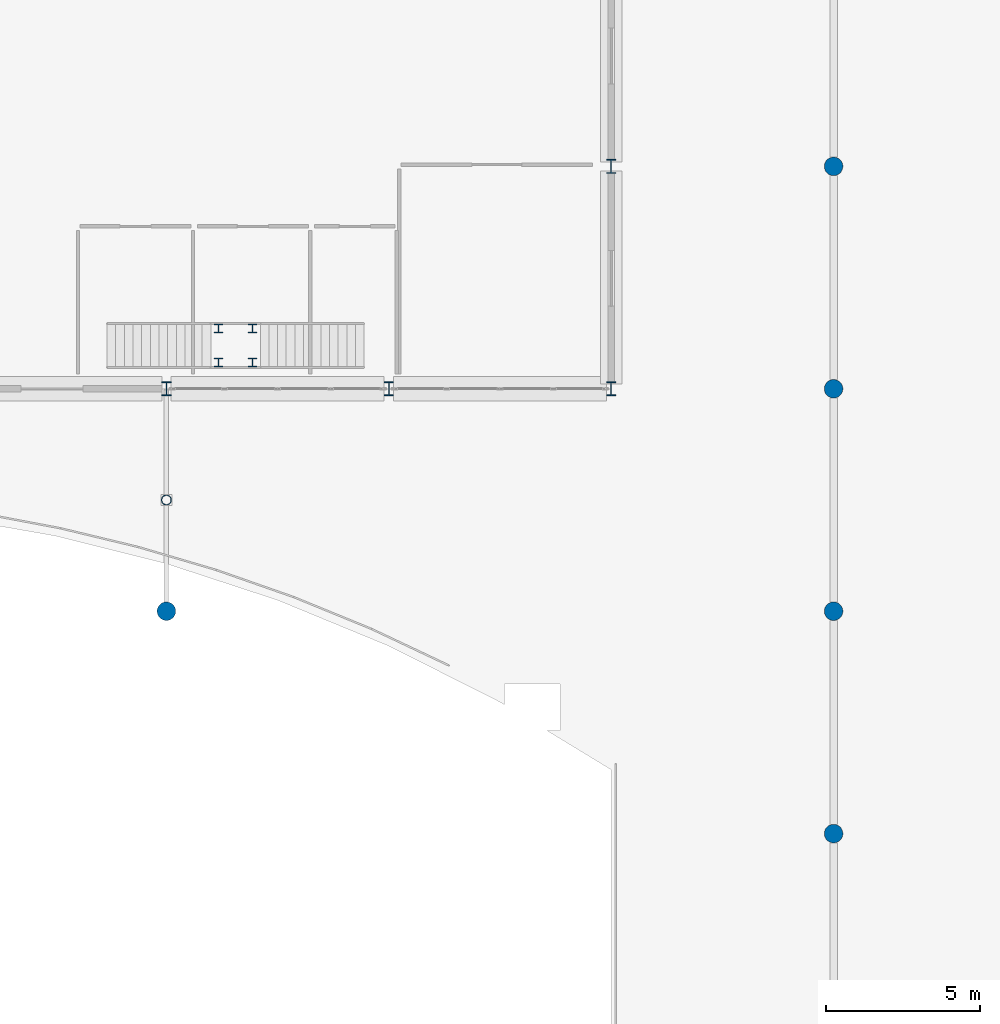
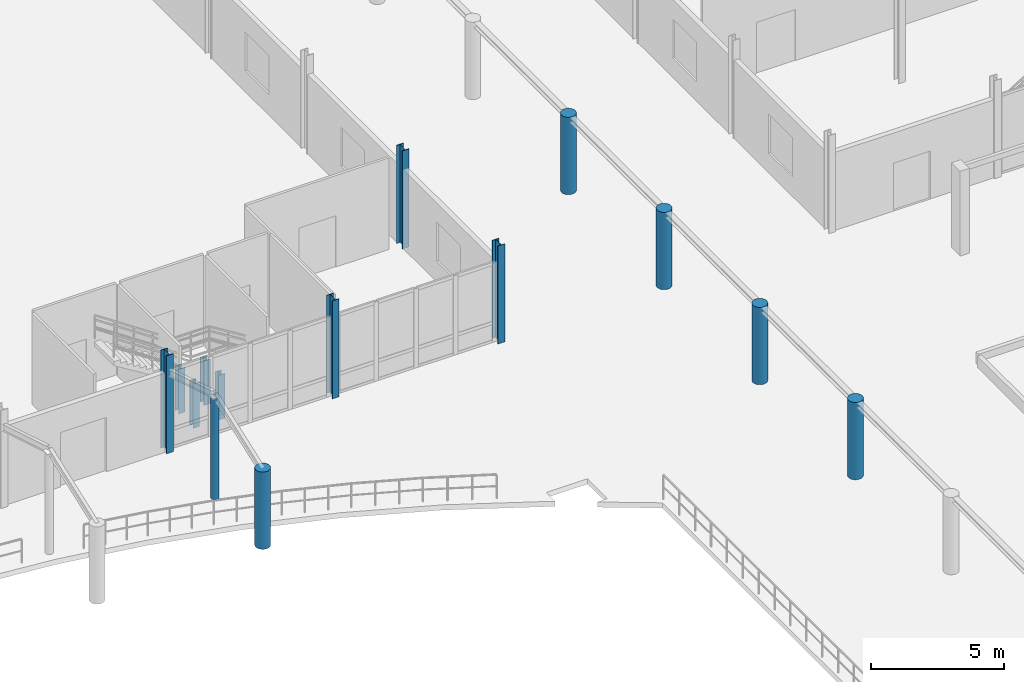
# One storey, part 7 of 139: 14 columns.
"""IFC4 building model written with IfcOpenShell, lengths in metres."""

from ifc_helpers import new_model, si_unit, direction, frame, origin, origin_2d, place, context, subcontext, project, spatial, circle, hollow_circle, i_section, extrude, material, material_profile, profile_set, type_object, element, save


model = new_model("IFC4")

# Units and contexts
model_context = context("Model", 3, precision=1e-05, world=origin(), true_north=direction((0.0, 1.0)))
body_context = subcontext(model_context, "Body", "Model", "MODEL_VIEW")
ifc_project = project(units=[si_unit("LENGTHUNIT", "METRE"), si_unit("AREAUNIT", "SQUARE_METRE"), si_unit("VOLUMEUNIT", "CUBIC_METRE"), si_unit("PLANEANGLEUNIT", "RADIAN"), si_unit("MASSUNIT", "GRAM", prefix="KILO")], contexts=[model_context])

# Site, building, storey
site_placement = place(None, origin())
site = spatial("IfcSite", under=ifc_project, at=site_placement, CompositionType="ELEMENT")
building_placement = place(site_placement, origin())
building = spatial("IfcBuilding", under=site, at=building_placement, Name="Suanplinth Sawtooth Commons", CompositionType="ELEMENT")
storey_placement = place(building_placement, origin())
storey = spatial("IfcBuildingStorey", under=building, at=storey_placement, Name="L00", CompositionType="ELEMENT", Elevation=0.0)

# Columns
ifc_material_1 = material(Name="Concrete C40/50", Category="concrete")
ifc_material_profile_1 = material_profile(ifc_material_1, circle(Radius=0.300048828125, at=origin_2d()), Name="RC-CIRC D600")
ifc_profile_set_1 = profile_set([ifc_material_profile_1], Name="Concrete C40/50")
column_type_1 = type_object("IfcColumnType", Name="C-08", PredefinedType="COLUMN", material=ifc_profile_set_1)
for number, where, z_axis, x_axis, name in (
    (1, (100.800048828125, 43.199951171875, 0.0), (0.0, 0.0, 1.0), (1.0, 0.0, 0.0), "Column L00 15/G"),
    (2, (122.39990234375, 36.0, 0.0), (0.0, 0.0, 1.0), (1.0, 0.0, 0.0), "Column L00 18/F"),
    (3, (122.39990234375, 43.199951171875, 0.0), (0.0, 0.0, 1.0), (1.0, 0.0, 0.0), "Column L00 18/G"),
    (4, (122.39990234375, 50.39990234375, 0.0), (0.0, 0.0, 1.0), (1.0, 0.0, 0.0), "Column L00 18/H"),
    (5, (122.39990234375, 57.60009765625, 0.0), (0.0, 0.0, 1.0), (1.0, 0.0, 0.0), "Column L00 18/J"),
):
    element("IfcColumn", number, at=place(storey_placement, frame(where, z_axis=z_axis, x_axis=x_axis)), inside=storey, type_object=column_type_1, Name=name, PredefinedType="COLUMN", context=body_context, shape_type="SweptSolid", body=[
        extrude(circle(Radius=0.300048828125, at=origin_2d()), origin(), (0.0, 0.0, 1.0), 3.550048828125),
    ])
ifc_material_2 = material(Name="Steel S355JR", Category="steel")
ifc_material_profile_2 = material_profile(ifc_material_2, i_section(OverallWidth=0.300048828125, OverallDepth=0.449951171875, WebThickness=0.013916015625, FlangeThickness=0.02587890625, at=origin_2d()), Name="HEB 450")
ifc_profile_set_2 = profile_set([ifc_material_profile_2], Name="Steel S355JR")
column_type_2 = type_object("IfcColumnType", Name="C-09", PredefinedType="COLUMN", material=ifc_profile_set_2)
for number, where, z_axis, x_axis, name in (
    (6, (100.800048828125, 50.39990234375, 0.0), (0.0, 0.0, 1.0), (1.0, 0.0, 0.0), "Column L00 15/H"),
    (7, (108.0, 50.39990234375, 0.0), (0.0, 0.0, 1.0), (1.0, 0.0, 0.0), "Column L00 16/H"),
    (8, (115.199951171875, 50.39990234375, 0.0), (0.0, 0.0, 1.0), (1.0, 0.0, 0.0), "Column L00 17/H"),
    (9, (115.199951171875, 57.60009765625, 0.0), (0.0, 0.0, 1.0), (1.0, 0.0, 0.0), "Column L00 17/J"),
):
    element("IfcColumn", number, at=place(storey_placement, frame(where, z_axis=z_axis, x_axis=x_axis)), inside=storey, type_object=column_type_2, Name=name, PredefinedType="COLUMN", context=body_context, shape_type="SweptSolid", body=[
        extrude(i_section(OverallWidth=0.300048828125, OverallDepth=0.449951171875, WebThickness=0.013916015625, FlangeThickness=0.02587890625, at=origin_2d()), origin(), (0.0, 0.0, 1.0), 4.5),
    ])
ifc_material_profile_3 = material_profile(ifc_material_2, i_section(OverallWidth=0.280029296875, OverallDepth=0.280029296875, WebThickness=0.010498046875, FlangeThickness=0.01806640625, at=origin_2d()), Name="HEB 280")
ifc_profile_set_3 = profile_set([ifc_material_profile_3], Name="Steel S355JR")
column_type_3 = type_object("IfcColumnType", Name="C-11", PredefinedType="COLUMN", material=ifc_profile_set_3)
for number, where, z_axis, x_axis, name in (
    (10, (102.489990234375, 51.25, 0.0), (0.0, 0.0, 1.0), (1.0, 0.0, 0.0), "Community Hall East Gallery Stair Landing Post 1"),
    (11, (103.590087890625, 51.25, 0.0), (0.0, 0.0, 1.0), (1.0, 0.0, 0.0), "Community Hall East Gallery Stair Landing Post 2"),
    (12, (102.489990234375, 52.35009765625, 0.0), (0.0, 0.0, 1.0), (1.0, 0.0, 0.0), "Community Hall East Gallery Stair Landing Post 3"),
    (13, (103.590087890625, 52.35009765625, 0.0), (0.0, 0.0, 1.0), (1.0, 0.0, 0.0), "Community Hall East Gallery Stair Landing Post 4"),
):
    element("IfcColumn", number, at=place(storey_placement, frame(where, z_axis=z_axis, x_axis=x_axis)), inside=storey, type_object=column_type_3, Name=name, PredefinedType="COLUMN", context=body_context, shape_type="SweptSolid", body=[
        extrude(i_section(OverallWidth=0.280029296875, OverallDepth=0.280029296875, WebThickness=0.010498046875, FlangeThickness=0.01806640625, at=origin_2d()), origin(), (0.0, 0.0, 1.0), 2.050048828125),
    ])
ifc_material_profile_4 = material_profile(ifc_material_2, hollow_circle(Radius=0.161865234375, WallThickness=0.012451171875, at=origin_2d()), Name="CHS 323.9x12.5")
ifc_profile_set_4 = profile_set([ifc_material_profile_4], Name="Steel S355JR")
column_type_4 = type_object("IfcColumnType", Name="C-12", PredefinedType="COLUMN", material=ifc_profile_set_4)
column_placement = place(storey_placement, frame((100.800048828125, 46.800048828125, 0.0), z_axis=(0.0, 0.0, 1.0), x_axis=(1.0, 0.0, 0.0)))
element("IfcColumn", 14, at=column_placement, inside=storey, type_object=column_type_4, Name="Metro Ridge Column 15", PredefinedType="COLUMN", context=body_context, shape_type="SweptSolid", body=[
    extrude(hollow_circle(Radius=0.161865234375, WallThickness=0.012451171875, at=origin_2d()), origin(), (0.0, 0.0, 1.0), 4.631103515625),
])

save(model, "model.ifc")
